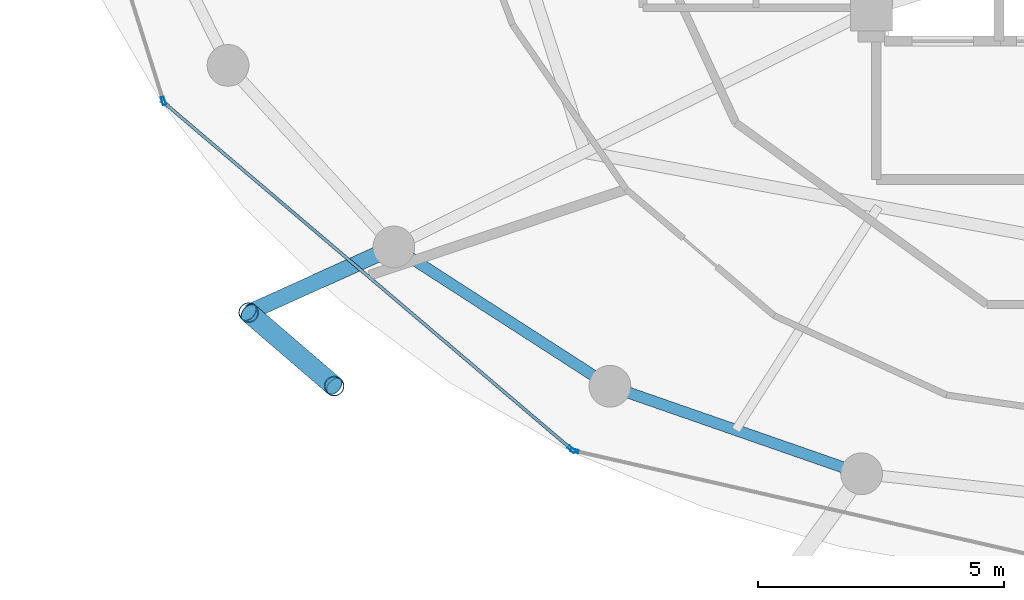
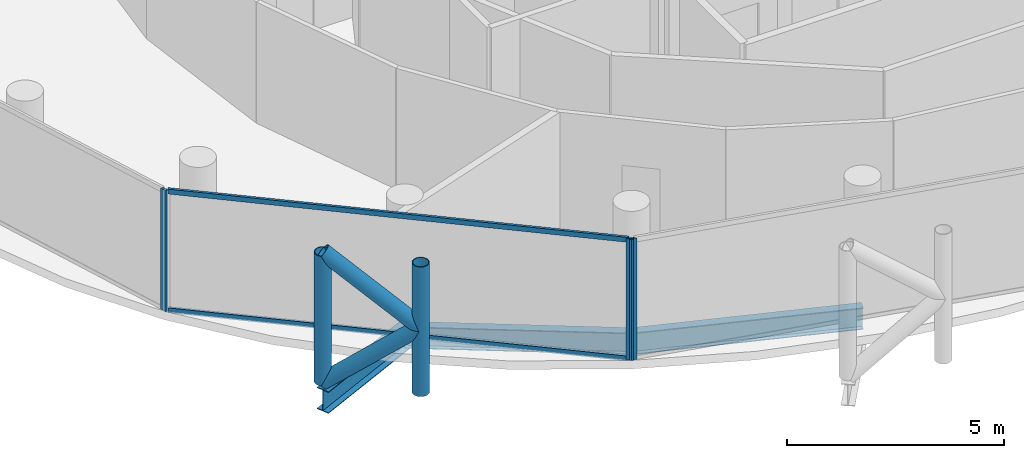
# One storey, part 2 of 27: 9 members, 3 beams, 3 elements without a shape of their own.
"""IFC4 building model written with IfcOpenShell, lengths in metres."""

from ifc_helpers import new_model, si_unit, direction, frame, origin, origin_2d, place, context, subcontext, project, spatial, hollow_rectangle, hollow_circle, i_section, extrude, material, layer, layer_set, material_profile, profile_set, type_object, element, aggregate, save


model = new_model("IFC4")

# Units and contexts
model_context = context("Model", 3, precision=1e-05, world=origin(), true_north=direction((0.0, 1.0)))
body_context = subcontext(model_context, "Body", "Model", "MODEL_VIEW")
ifc_project = project(units=[si_unit("LENGTHUNIT", "METRE"), si_unit("AREAUNIT", "SQUARE_METRE"), si_unit("VOLUMEUNIT", "CUBIC_METRE"), si_unit("PLANEANGLEUNIT", "RADIAN"), si_unit("MASSUNIT", "GRAM", prefix="KILO")], contexts=[model_context])

# Site, building, storey
site_placement = place(None, origin())
site = spatial("IfcSite", under=ifc_project, at=site_placement, CompositionType="ELEMENT")
building_placement = place(site_placement, origin())
building = spatial("IfcBuilding", under=site, at=building_placement, Name="Nuhasar Tower", CompositionType="ELEMENT")
storey_placement = place(building_placement, frame((0.0, 0.0, 237.35009765625)))
storey = spatial("IfcBuildingStorey", under=building, at=storey_placement, Name="L58", CompositionType="ELEMENT", Elevation=237.35009765625)

# Beams
ifc_material_1 = material(Name="Steel S355", Category="steel")
ifc_material_profile_1 = material_profile(ifc_material_1, i_section(OverallWidth=0.22802734375, OverallDepth=0.60791015625, WebThickness=0.01123046875, FlangeThickness=0.017333984375, at=origin_2d()), Name="W24X76")
ifc_profile_set_1 = profile_set([ifc_material_profile_1], Name="Steel S355")
beam_type_1 = type_object("IfcBeamType", Name="BM-RING-W24X76", PredefinedType="SPANDREL", material=ifc_profile_set_1)
beam_1_placement = place(storey_placement, frame((23.97412109375, 14.177978515625, -0.544189453125), z_axis=(0.840502144969, -0.541808217272, 0.0), x_axis=(0.541808217272, 0.840502144969, 0.0)))
element("IfcBeam", 1, at=beam_1_placement, inside=storey, type_object=beam_type_1, Name="L58 Perimeter Ring Spandrel 16", PredefinedType="SPANDREL", context=body_context, shape_type="SweptSolid", body=[
    extrude(i_section(OverallWidth=0.22802734375, OverallDepth=0.60791015625, WebThickness=0.01123046875, FlangeThickness=0.017333984375, at=origin_2d()), origin(), (0.0, 0.0, 1.0), 5.236083984375),
])
beam_2_placement = place(storey_placement, frame((28.375, 11.341064453125, -0.544189453125), z_axis=(0.944476764686, -0.328578211342, 0.0), x_axis=(0.328578211342, 0.944476764686, 0.0)))
element("IfcBeam", 2, at=beam_2_placement, inside=storey, type_object=beam_type_1, Name="L58 Perimeter Ring Spandrel 17", PredefinedType="SPANDREL", context=body_context, shape_type="SweptSolid", body=[
    extrude(i_section(OverallWidth=0.22802734375, OverallDepth=0.60791015625, WebThickness=0.01123046875, FlangeThickness=0.017333984375, at=origin_2d()), origin(), (0.0, 0.0, 1.0), 5.42626953125),
])
ifc_material_profile_2 = material_profile(ifc_material_1, i_section(OverallWidth=0.323974609375, OverallDepth=0.611083984375, WebThickness=0.0126953125, FlangeThickness=0.01904296875, at=origin_2d()), Name="W24X104")
ifc_profile_set_2 = profile_set([ifc_material_profile_2], Name="Steel S355")
beam_type_2 = type_object("IfcBeamType", Name="BM-TIE-W24X104", PredefinedType="BEAM", material=ifc_profile_set_2)
beam_3_placement = place(storey_placement, frame((23.97412109375, 14.177978515625, -0.545166015625), z_axis=(-0.911363318082, -0.411602845538, 0.0), x_axis=(0.411602845538, -0.911363318082, 0.0)))
element("IfcBeam", 3, at=beam_3_placement, inside=storey, type_object=beam_type_2, Name="L58 Exoskeleton Node Tie Beam 08", PredefinedType="BEAM", context=body_context, shape_type="SweptSolid", body=[
    extrude(i_section(OverallWidth=0.323974609375, OverallDepth=0.611083984375, WebThickness=0.0126953125, FlangeThickness=0.01904296875, at=origin_2d()), origin(), (0.0, 0.0, 1.0), 3.24560546875),
])

# Curtain wall, member
ifc_material_2 = material(Name="Aluminium 6063-T6", Category="aluminium")
ifc_layer = layer(ifc_material_2, 0.18994140625)
ifc_layer_set = layer_set([ifc_layer], Name="Aluminium 6063-T6")
curtain_wall_type = type_object("IfcCurtainWallType", Name="CW-Z3-RES", PredefinedType="NOTDEFINED", material=ifc_layer_set)
curtain_wall_1_placement = place(storey_placement, origin())
curtain_wall_1 = element("IfcCurtainWall", 4, at=curtain_wall_1_placement, inside=storey, type_object=curtain_wall_type, Name="L58 Unitised Curtain Wall 07", PredefinedType="NOTDEFINED")
ifc_material_profile_3 = material_profile(ifc_material_2, hollow_rectangle(XDim=0.06494140625, YDim=0.169921875, WallThickness=0.0048828125, at=origin_2d()), Name="CWM-4")
ifc_profile_set_3 = profile_set([ifc_material_profile_3], Name="Aluminium 6063-T6")
member_type_1 = type_object("IfcMemberType", Name="CW-MUL-S4", PredefinedType="MULLION", material=ifc_profile_set_3)
member_1_placement = place(storey_placement, frame((19.279296875, 17.15087890625, 0.0), z_axis=(0.0, 0.0, 1.0), x_axis=(0.95380429279, 0.30042864553, 0.0)))
member_1 = element("IfcMember", 5, at=member_1_placement, type_object=member_type_1, Name="CW-Z3 mullion 2", PredefinedType="MULLION", context=body_context, shape_type="SweptSolid", body=[
    extrude(hollow_rectangle(XDim=0.06494140625, YDim=0.169921875, WallThickness=0.0048828125, at=origin_2d()), origin(), (0.0, 0.0, 1.0), 3.409912109375),
])
aggregate(curtain_wall_1, [member_1])

curtain_wall_2_placement = place(storey_placement, origin())
curtain_wall_2 = element("IfcCurtainWall", 6, at=curtain_wall_2_placement, inside=storey, type_object=curtain_wall_type, Name="L58 Unitised Curtain Wall 08", PredefinedType="NOTDEFINED")
member_2_placement = place(storey_placement, frame((27.59521484375, 10.05517578125, 0.0), z_axis=(0.0, 0.0, 1.0), x_axis=(0.64789521578, 0.761729472562, 0.0)))
member_2 = element("IfcMember", 7, at=member_2_placement, type_object=member_type_1, Name="CW-Z3 mullion 2", PredefinedType="MULLION", context=body_context, shape_type="SweptSolid", body=[
    extrude(hollow_rectangle(XDim=0.06494140625, YDim=0.169921875, WallThickness=0.0048828125, at=origin_2d()), origin(), (0.0, 0.0, 1.0), 3.409912109375),
])

curtain_wall_3_placement = place(storey_placement, origin())
curtain_wall_3 = element("IfcCurtainWall", 8, at=curtain_wall_3_placement, inside=storey, type_object=curtain_wall_type, Name="L58 Unitised Curtain Wall 09", PredefinedType="NOTDEFINED")
member_3_placement = place(storey_placement, frame((27.651611328125, 10.02685546875, 0.0), z_axis=(0.0, 0.0, 1.0), x_axis=(0.222243176313, 0.974991266926, 0.0)))
member_3 = element("IfcMember", 9, at=member_3_placement, type_object=member_type_1, Name="CW-Z3 mullion 1", PredefinedType="MULLION", context=body_context, shape_type="SweptSolid", body=[
    extrude(hollow_rectangle(XDim=0.06494140625, YDim=0.169921875, WallThickness=0.0048828125, at=origin_2d()), origin(), (0.0, 0.0, 1.0), 3.409912109375),
])
aggregate(curtain_wall_3, [member_3])

# Member
ifc_material_profile_4 = material_profile(ifc_material_2, hollow_rectangle(XDim=0.06494140625, YDim=0.139892578125, WallThickness=0.00439453125, at=origin_2d()), Name="CWT-4")
ifc_profile_set_4 = profile_set([ifc_material_profile_4], Name="Aluminium 6063-T6")
member_type_2 = type_object("IfcMemberType", Name="CW-TRN-S4", PredefinedType="USERDEFINED", material=ifc_profile_set_4)
member_4_placement = place(storey_placement, frame((19.338623046875, 17.077880859375, 0.032470703125), z_axis=(0.761730809511, -0.647893643928, 0.0), x_axis=(0.647893643928, 0.761730809511, 0.0)))
member_4 = element("IfcMember", 10, at=member_4_placement, type_object=member_type_2, Name="CW-Z3 transom 1.1", ObjectType="TRANSOM", PredefinedType="USERDEFINED", context=body_context, shape_type="SweptSolid", body=[
    extrude(hollow_rectangle(XDim=0.06494140625, YDim=0.139892578125, WallThickness=0.00439453125, at=origin_2d()), origin(), (0.0, 0.0, 1.0), 10.806884765625),
])

member_5_placement = place(storey_placement, frame((19.338623046875, 17.077880859375, 3.37744140625), z_axis=(0.761730809511, -0.647893643928, 0.0), x_axis=(0.647893643928, 0.761730809511, 0.0)))
member_5 = element("IfcMember", 11, at=member_5_placement, type_object=member_type_2, Name="CW-Z3 transom 1.2", ObjectType="TRANSOM", PredefinedType="USERDEFINED", context=body_context, shape_type="SweptSolid", body=[
    extrude(hollow_rectangle(XDim=0.06494140625, YDim=0.139892578125, WallThickness=0.00439453125, at=origin_2d()), origin(), (0.0, 0.0, 1.0), 10.806884765625),
])

aggregate(curtain_wall_2, [member_2, member_4, member_5])

# Members
ifc_material_3 = material(Name="Steel S460", Category="steel")
ifc_material_profile_5 = material_profile(ifc_material_3, hollow_circle(Radius=0.203125, WallThickness=0.01904296875, at=origin_2d()), Name="HSS406.4X19.1")
ifc_profile_set_5 = profile_set([ifc_material_profile_5], Name="Steel S460")
member_type_3 = type_object("IfcMemberType", Name="EXO-BRONZE-406", PredefinedType="BRACE", material=ifc_profile_set_5)
for number, where, z_axis, x_axis, name in (
    (12, (21.01611328125, 12.842041015625, 0.0), (0.0, 0.0, 1.0), (1.0, 0.0, 0.0), "L58 Exoskeleton Chord Column EC-08A"),
    (13, (22.760009765625, 11.343017578125, 0.0), (0.0, 0.0, 1.0), (1.0, 0.0, 0.0), "L58 Exoskeleton Chord Column EC-08B"),
):
    element("IfcMember", number, at=place(storey_placement, frame(where, z_axis=z_axis, x_axis=x_axis)), inside=storey, type_object=member_type_3, Name=name, PredefinedType="BRACE", context=body_context, shape_type="SweptSolid", body=[
        extrude(hollow_circle(Radius=0.203125, WallThickness=0.01904296875, at=origin_2d()), origin(), (0.0, 0.0, 1.0), 3.64990234375),
    ])
for number, where, z_axis, x_axis, name in (
    (14, (21.01611328125, 12.842041015625, 0.0), (0.594018535389, -0.510608120858, 0.621627964725), (0.65185738425, 0.758341579104, 0.0), "L58 Bronze Diagrid Brace W1-08"),
    (15, (22.760009765625, 11.343017578125, 1.824951171875), (-0.594018535389, 0.510608120858, 0.621627964725), (-0.65185738425, -0.758341579104, 0.0), "L58 Bronze Diagrid Brace W2-08"),
):
    element("IfcMember", number, at=place(storey_placement, frame(where, z_axis=z_axis, x_axis=x_axis)), inside=storey, type_object=member_type_3, Name=name, PredefinedType="BRACE", context=body_context, shape_type="SweptSolid", body=[
        extrude(hollow_circle(Radius=0.203125, WallThickness=0.01904296875, at=origin_2d()), origin(), (0.0, 0.0, 1.0), 2.935791015625),
    ])

save(model, "model.ifc")
